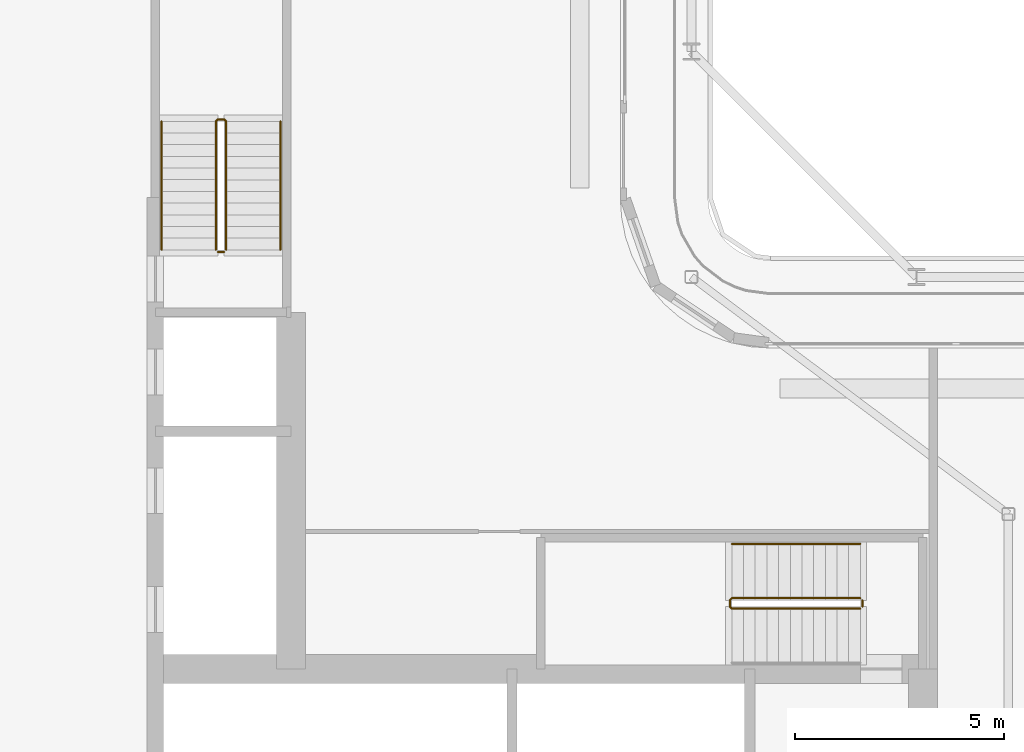
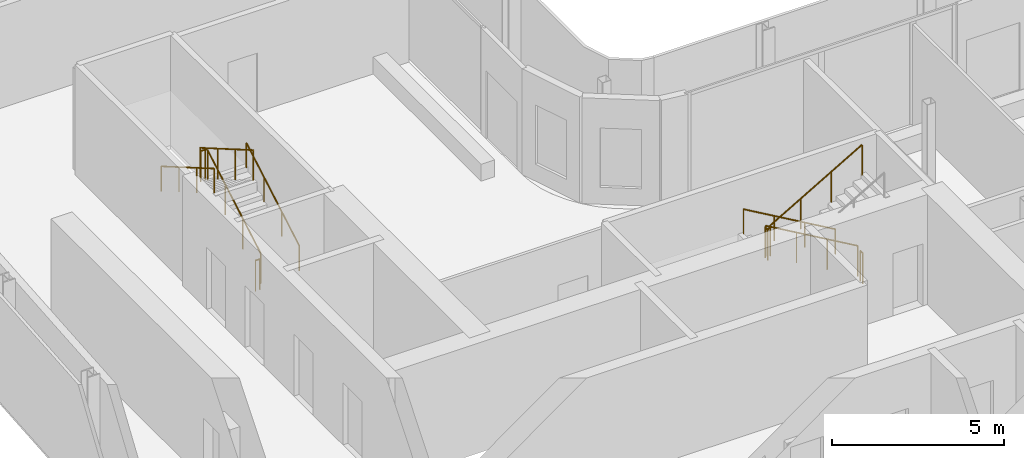
# One storey, part 16 of 21: 7 railings.
"""IFC4 building model written with IfcOpenShell, lengths in metres."""

from ifc_helpers import new_model, si_unit, direction, frame, origin, origin_2d, place, context, subcontext, project, spatial, circle, extrude, material, type_object, element, save


model = new_model("IFC4")

# Units and contexts
model_context = context("Model", 3, precision=1e-05, world=origin(), true_north=direction((0.0, 1.0)))
body_context = subcontext(model_context, "Body", "Model", "MODEL_VIEW")
ifc_project = project(units=[si_unit("LENGTHUNIT", "METRE"), si_unit("AREAUNIT", "SQUARE_METRE"), si_unit("VOLUMEUNIT", "CUBIC_METRE"), si_unit("PLANEANGLEUNIT", "RADIAN"), si_unit("MASSUNIT", "GRAM", prefix="KILO")], contexts=[model_context])

# Site, building, storey
site_placement = place(None, origin())
site = spatial("IfcSite", under=ifc_project, at=site_placement, CompositionType="ELEMENT")
building_placement = place(site_placement, origin())
building = spatial("IfcBuilding", under=site, at=building_placement, Name="Kheshtan School and Residences Tower", CompositionType="ELEMENT")
storey_placement = place(building_placement, frame((0.0, 0.0, 227.89990234375)))
storey = spatial("IfcBuildingStorey", under=building, at=storey_placement, Name="L53", CompositionType="ELEMENT", Elevation=227.89990234375)

# Railings
ifc_material_1 = material(Name="Stainless steel balustrade", Category="steel")
railing_type_1 = type_object("IfcRailingType", Name="Stair guard 1100", PredefinedType="GUARDRAIL", material=ifc_material_1)
railing_1_placement = place(storey_placement, frame((51.64990234375, 37.89990234375, 0.16259765625)))
element("IfcRailing", 1, at=railing_1_placement, inside=storey, type_object=railing_type_1, Name="L53 ST1 stair guard 1", PredefinedType="GUARDRAIL", context=body_context, shape_type="SweptSolid", body=[
    extrude(circle(Radius=0.02392578125, at=origin_2d()), frame((0.0, 0.0, 1.076171875), z_axis=(-0.864873446163, 0.0, 0.501989962173), x_axis=(0.0, -1.0, 0.0)), (0.0, 0.0, 1.0), 3.56103515625),
    extrude(circle(Radius=0.02392578125, at=origin_2d()), frame((-3.079833984375, 0.0, 2.86376953125), z_axis=(-0.708833529934, -0.705375805398, 0.0), x_axis=(0.705375805398, -0.708833529934, 0.0)), (0.0, 0.0, 1.0), 0.070556640625),
    extrude(circle(Radius=0.02392578125, at=origin_2d()), frame((-3.1298828125, -0.0498046875, 2.86376953125), z_axis=(0.0, -1.0, 0.0), x_axis=(1.0, 0.0, 0.0)), (0.0, 0.0, 1.0), 0.150146484375),
    extrude(circle(Radius=0.02392578125, at=origin_2d()), frame((-3.1298828125, -0.199951171875, 2.86376953125), z_axis=(0.282583949758, -0.282583949758, 0.916674763849), x_axis=(0.707106781187, 0.707106781187, 0.0)), (0.0, 0.0, 1.0), 0.177001953125),
    extrude(circle(Radius=0.02392578125, at=origin_2d()), frame((-3.079833984375, -0.25, 3.02587890625), z_axis=(0.864873446163, 0.0, 0.501989962173), x_axis=(0.0, 1.0, 0.0)), (0.0, 0.0, 1.0), 3.56103515625),
    extrude(circle(Radius=0.02099609375, at=origin_2d()), origin(), (0.0, 0.0, 1.0), 1.052001953125),
    extrude(circle(Radius=0.02099609375, at=origin_2d()), frame((-1.026611328125, 0.0, 0.595947265625)), (0.0, 0.0, 1.0), 1.052001953125),
    extrude(circle(Radius=0.02099609375, at=origin_2d()), frame((-2.05322265625, 0.0, 1.191650390625)), (0.0, 0.0, 1.0), 1.052001953125),
    extrude(circle(Radius=0.02099609375, at=origin_2d()), frame((-3.079833984375, 0.0, 1.78759765625)), (0.0, 0.0, 1.0), 1.052001953125),
    extrude(circle(Radius=0.02099609375, at=origin_2d()), frame((-3.1298828125, -0.0498046875, 1.78759765625)), (0.0, 0.0, 1.0), 1.052001953125),
    extrude(circle(Radius=0.02099609375, at=origin_2d()), frame((-3.1298828125, -0.199951171875, 1.78759765625)), (0.0, 0.0, 1.0), 1.052001953125),
    extrude(circle(Radius=0.02099609375, at=origin_2d()), frame((-3.079833984375, -0.25, 1.949951171875)), (0.0, 0.0, 1.0), 1.052001953125),
    extrude(circle(Radius=0.02099609375, at=origin_2d()), frame((-2.05322265625, -0.25, 2.5458984375)), (0.0, 0.0, 1.0), 1.052001953125),
    extrude(circle(Radius=0.02099609375, at=origin_2d()), frame((-1.026611328125, -0.25, 3.1416015625)), (0.0, 0.0, 1.0), 1.052001953125),
    extrude(circle(Radius=0.02099609375, at=origin_2d()), frame((0.0, -0.25, 3.737548828125)), (0.0, 0.0, 1.0), 1.052001953125),
])
railing_2_placement = place(storey_placement, frame((51.699951171875, 37.85009765625, 0.0)))
element("IfcRailing", 2, at=railing_2_placement, inside=storey, type_object=railing_type_1, Name="L53 ST1 stair guard 2", PredefinedType="GUARDRAIL", context=body_context, shape_type="SweptSolid", body=[
    extrude(circle(Radius=0.02392578125, at=origin_2d()), frame((0.0, 0.0, 1.076171875), z_axis=(0.0, -1.0, 0.0), x_axis=(1.0, 0.0, 0.0)), (0.0, 0.0, 1.0), 0.150146484375),
    extrude(circle(Radius=0.02099609375, at=origin_2d()), origin(), (0.0, 0.0, 1.0), 1.052001953125),
    extrude(circle(Radius=0.02099609375, at=origin_2d()), frame((0.0, -0.150146484375, 0.0)), (0.0, 0.0, 1.0), 1.052001953125),
])
railing_3_placement = place(storey_placement, frame((36.449951171875, 46.25, 0.16259765625)))
element("IfcRailing", 3, at=railing_3_placement, inside=storey, type_object=railing_type_1, Name="L53 ST2 stair guard 1", PredefinedType="GUARDRAIL", context=body_context, shape_type="SweptSolid", body=[
    extrude(circle(Radius=0.02392578125, at=origin_2d()), frame((0.0, 0.0, 1.076171875), z_axis=(0.0, 0.864890721111, 0.501960198159), x_axis=(-1.0, 0.0, 0.0)), (0.0, 0.0, 1.0), 3.561279296875),
    extrude(circle(Radius=0.02392578125, at=origin_2d()), frame((0.0, 3.080078125, 2.86376953125), z_axis=(-0.708833529934, 0.705375805398, 0.0), x_axis=(-0.705375805398, -0.708833529934, 0.0)), (0.0, 0.0, 1.0), 0.070556640625),
    extrude(circle(Radius=0.02392578125, at=origin_2d()), frame((-0.050048828125, 3.1298828125, 2.86376953125), z_axis=(-1.0, 0.0, 0.0), x_axis=(0.0, -1.0, 0.0)), (0.0, 0.0, 1.0), 0.14990234375),
    extrude(circle(Radius=0.02392578125, at=origin_2d()), frame((-0.199951171875, 3.1298828125, 2.86376953125), z_axis=(-0.282693820306, -0.281314826061, 0.917031173188), x_axis=(0.705375805398, -0.708833529934, 0.0)), (0.0, 0.0, 1.0), 0.177001953125),
    extrude(circle(Radius=0.02392578125, at=origin_2d()), frame((-0.25, 3.080078125, 3.02587890625), z_axis=(0.0, -0.864890721111, 0.501960198159), x_axis=(1.0, 0.0, 0.0)), (0.0, 0.0, 1.0), 3.561279296875),
    extrude(circle(Radius=0.02099609375, at=origin_2d()), origin(), (0.0, 0.0, 1.0), 1.052001953125),
    extrude(circle(Radius=0.02099609375, at=origin_2d()), frame((0.0, 1.026611328125, 0.595947265625)), (0.0, 0.0, 1.0), 1.052001953125),
    extrude(circle(Radius=0.02099609375, at=origin_2d()), frame((0.0, 2.053466796875, 1.191650390625)), (0.0, 0.0, 1.0), 1.052001953125),
    extrude(circle(Radius=0.02099609375, at=origin_2d()), frame((0.0, 3.080078125, 1.78759765625)), (0.0, 0.0, 1.0), 1.052001953125),
    extrude(circle(Radius=0.02099609375, at=origin_2d()), frame((-0.050048828125, 3.1298828125, 1.78759765625)), (0.0, 0.0, 1.0), 1.052001953125),
    extrude(circle(Radius=0.02099609375, at=origin_2d()), frame((-0.199951171875, 3.1298828125, 1.78759765625)), (0.0, 0.0, 1.0), 1.052001953125),
    extrude(circle(Radius=0.02099609375, at=origin_2d()), frame((-0.25, 3.080078125, 1.949951171875)), (0.0, 0.0, 1.0), 1.052001953125),
    extrude(circle(Radius=0.02099609375, at=origin_2d()), frame((-0.25, 2.053466796875, 2.5458984375)), (0.0, 0.0, 1.0), 1.052001953125),
    extrude(circle(Radius=0.02099609375, at=origin_2d()), frame((-0.25, 1.026611328125, 3.1416015625)), (0.0, 0.0, 1.0), 1.052001953125),
    extrude(circle(Radius=0.02099609375, at=origin_2d()), frame((-0.25, 0.0, 3.737548828125)), (0.0, 0.0, 1.0), 1.052001953125),
])
railing_4_placement = place(storey_placement, frame((36.39990234375, 46.199951171875, 0.0)))
element("IfcRailing", 4, at=railing_4_placement, inside=storey, type_object=railing_type_1, Name="L53 ST2 stair guard 2", PredefinedType="GUARDRAIL", context=body_context, shape_type="SweptSolid", body=[
    extrude(circle(Radius=0.02392578125, at=origin_2d()), frame((0.0, 0.0, 1.076171875), z_axis=(-1.0, 0.0, 0.0), x_axis=(0.0, -1.0, 0.0)), (0.0, 0.0, 1.0), 0.14990234375),
    extrude(circle(Radius=0.02099609375, at=origin_2d()), origin(), (0.0, 0.0, 1.0), 1.052001953125),
    extrude(circle(Radius=0.02099609375, at=origin_2d()), frame((-0.14990234375, 0.0, 0.0)), (0.0, 0.0, 1.0), 1.052001953125),
])
ifc_material_2 = material(Name="Stainless steel handrail", Category="steel")
railing_type_2 = type_object("IfcRailingType", Name="Stair handrail 900", PredefinedType="HANDRAIL", material=ifc_material_2)
railing_5_placement = place(storey_placement, frame((51.64990234375, 39.199951171875, 0.16259765625)))
element("IfcRailing", 5, at=railing_5_placement, inside=storey, type_object=railing_type_2, Name="L53 ST1 stair handrail 1", PredefinedType="HANDRAIL", context=body_context, shape_type="SweptSolid", body=[
    extrude(circle(Radius=0.02392578125, at=origin_2d()), frame((0.0, 0.0, 0.8759765625), z_axis=(-0.864873446163, 0.0, 0.501989962173), x_axis=(0.0, -1.0, 0.0)), (0.0, 0.0, 1.0), 3.56103515625),
    extrude(circle(Radius=0.02099609375, at=origin_2d()), origin(), (0.0, 0.0, 1.0), 0.851806640625),
    extrude(circle(Radius=0.02099609375, at=origin_2d()), frame((-1.026611328125, 0.0, 0.595947265625)), (0.0, 0.0, 1.0), 0.851806640625),
    extrude(circle(Radius=0.02099609375, at=origin_2d()), frame((-2.05322265625, 0.0, 1.191650390625)), (0.0, 0.0, 1.0), 0.851806640625),
    extrude(circle(Radius=0.02099609375, at=origin_2d()), frame((-3.079833984375, 0.0, 1.78759765625)), (0.0, 0.0, 1.0), 0.851806640625),
])
railing_6_placement = place(storey_placement, frame((37.75, 46.25, 0.16259765625)))
element("IfcRailing", 6, at=railing_6_placement, inside=storey, type_object=railing_type_2, Name="L53 ST2 stair handrail 1", PredefinedType="HANDRAIL", context=body_context, shape_type="SweptSolid", body=[
    extrude(circle(Radius=0.02392578125, at=origin_2d()), frame((0.0, 0.0, 0.8759765625), z_axis=(0.0, 0.864890721111, 0.501960198159), x_axis=(-1.0, 0.0, 0.0)), (0.0, 0.0, 1.0), 3.561279296875),
    extrude(circle(Radius=0.02099609375, at=origin_2d()), origin(), (0.0, 0.0, 1.0), 0.851806640625),
    extrude(circle(Radius=0.02099609375, at=origin_2d()), frame((0.0, 1.026611328125, 0.595947265625)), (0.0, 0.0, 1.0), 0.851806640625),
    extrude(circle(Radius=0.02099609375, at=origin_2d()), frame((0.0, 2.053466796875, 1.191650390625)), (0.0, 0.0, 1.0), 0.851806640625),
    extrude(circle(Radius=0.02099609375, at=origin_2d()), frame((0.0, 3.080078125, 1.78759765625)), (0.0, 0.0, 1.0), 0.851806640625),
])
railing_7_placement = place(storey_placement, frame((34.89990234375, 49.330078125, 2.112548828125)))
element("IfcRailing", 7, at=railing_7_placement, inside=storey, type_object=railing_type_2, Name="L53 ST2 stair handrail 2", PredefinedType="HANDRAIL", context=body_context, shape_type="SweptSolid", body=[
    extrude(circle(Radius=0.02392578125, at=origin_2d()), frame((0.0, 0.0, 0.8759765625), z_axis=(0.0, -0.864890721111, 0.501960198159), x_axis=(1.0, 0.0, 0.0)), (0.0, 0.0, 1.0), 3.561279296875),
    extrude(circle(Radius=0.02099609375, at=origin_2d()), origin(), (0.0, 0.0, 1.0), 0.851806640625),
    extrude(circle(Radius=0.02099609375, at=origin_2d()), frame((0.0, -1.026611328125, 0.595947265625)), (0.0, 0.0, 1.0), 0.851806640625),
    extrude(circle(Radius=0.02099609375, at=origin_2d()), frame((0.0, -2.053466796875, 1.191650390625)), (0.0, 0.0, 1.0), 0.851806640625),
    extrude(circle(Radius=0.02099609375, at=origin_2d()), frame((0.0, -3.080078125, 1.78759765625)), (0.0, 0.0, 1.0), 0.851806640625),
])

save(model, "model.ifc")
